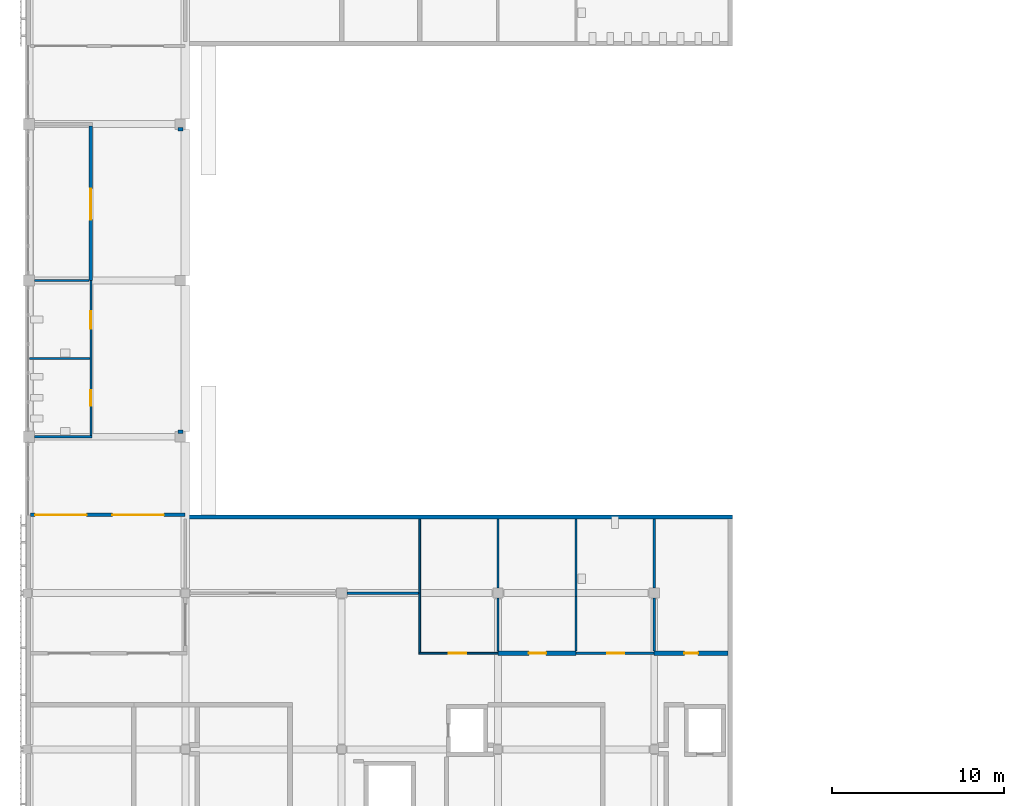
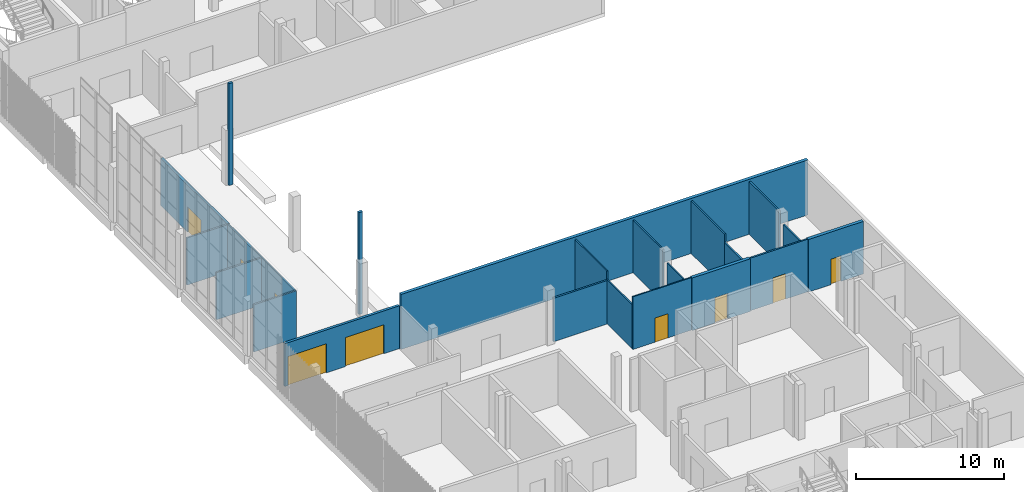
# One storey, part 43 of 91: 22 walls, 9 doors, 9 openings.
"""IFC4 building model written with IfcOpenShell, lengths in metres."""

from ifc_helpers import new_model, si_unit, direction, frame, frame_2d, origin, place, context, subcontext, project, spatial, rectangle, extrude, material, layer, layer_set, type_object, element, fill, save


model = new_model("IFC4")

# Units and contexts
model_context = context("Model", 3, precision=1e-05, world=origin(), true_north=direction((0.0, 1.0)))
body_context = subcontext(model_context, "Body", "Model", "MODEL_VIEW")
ifc_project = project(units=[si_unit("LENGTHUNIT", "METRE"), si_unit("AREAUNIT", "SQUARE_METRE"), si_unit("VOLUMEUNIT", "CUBIC_METRE"), si_unit("PLANEANGLEUNIT", "RADIAN"), si_unit("MASSUNIT", "GRAM", prefix="KILO")], contexts=[model_context])

# Site, building, storey
site_placement = place(None, origin())
site = spatial("IfcSite", under=ifc_project, at=site_placement, CompositionType="ELEMENT")
building_placement = place(site_placement, origin())
building = spatial("IfcBuilding", under=site, at=building_placement, Name="Shirokan Park Arena", CompositionType="ELEMENT")
storey_placement = place(building_placement, frame((0.0, 0.0, 24.570068359375)))
storey = spatial("IfcBuildingStorey", under=building, at=storey_placement, Name="L05", CompositionType="ELEMENT", Elevation=24.570068359375)

# Walls
ifc_material_1 = material(Name="Steel sheet", Category="steel")
ifc_layer_1 = layer(ifc_material_1, 0.0009765625, Name="Steel sheet")
ifc_material_2 = material(Name="Polyisocyanurate insulation")
ifc_layer_2 = layer(ifc_material_2, 0.097900390625, Name="Polyisocyanurate insulation")
ifc_layer_3 = layer(ifc_material_1, 0.0009765625, Name="Steel sheet")
ifc_layer_set_1 = layer_set([ifc_layer_1, ifc_layer_2, ifc_layer_3], Name="Steel sheet + Polyisocyanurate insulation")
wall_type_1 = type_object("IfcWallType", Name="Cold store panel 100", PredefinedType="SOLIDWALL", material=ifc_layer_set_1)
wall_1_placement = place(storey_placement, frame((22.75, 32.949951171875, 0.0), z_axis=(0.0, 0.0, 1.0), x_axis=(0.0, 1.0, 0.0)))
element("IfcWall", 1, at=wall_1_placement, inside=storey, type_object=wall_type_1, Name="Cold store panel 100 L05", PredefinedType="SOLIDWALL", context=body_context, shape_type="SweptSolid", body=[
    extrude(rectangle(XDim=3.449951171875, YDim=0.10009765625, at=frame_2d((1.72509765625, 0.0))), origin(), (0.0, 0.0, 1.0), 3.64990234375),
])
wall_2_placement = place(storey_placement, frame((22.75, 40.699951171875, 0.0), z_axis=(0.0, 0.0, 1.0), x_axis=(0.0, -1.0, 0.0)))
element("IfcWall", 2, at=wall_2_placement, inside=storey, type_object=wall_type_1, Name="Cold store panel 100 L05", PredefinedType="SOLIDWALL", context=body_context, shape_type="SweptSolid", body=[
    extrude(rectangle(XDim=4.300048828125, YDim=0.10009765625, at=frame_2d((2.14990234375, 0.0))), origin(), (0.0, 0.0, 1.0), 4.349853515625),
])

# Wall, opening, door
wall_3_placement = place(storey_placement, frame((27.300048828125, 32.89990234375, 0.0), z_axis=(0.0, 0.0, 1.0), x_axis=(-1.0, 0.0, 0.0)))
wall_3 = element("IfcWall", 3, at=wall_3_placement, inside=storey, type_object=wall_type_1, Name="Cold store panel 100 L05", PredefinedType="SOLIDWALL", context=body_context, shape_type="SweptSolid", body=[
    extrude(rectangle(XDim=4.60009765625, YDim=0.10009765625, at=frame_2d((2.300048828125, 0.0))), origin(), (0.0, 0.0, 1.0), 4.349853515625),
])
opening_1_placement = place(wall_3_placement, frame((1.85009765625, 0.0, 0.0)))
opening_1 = element("IfcOpeningElement", 4, at=opening_1_placement, cuts=wall_3, Name="Opening D-5010", PredefinedType="OPENING", context=body_context, shape_type="SweptSolid", body=[
    extrude(rectangle(XDim=1.0, YDim=2.0, at=frame_2d((0.5, 1.0))), frame((0.0, 0.06005859375, 0.0), z_axis=(0.0, -1.0, 0.0), x_axis=(1.0, 0.0, 0.0)), (0.0, 0.0, 1.0), 0.1201171875),
])
ifc_material_3 = material(Name="Insulated steel door set", Category="steel")
door_type_1 = type_object("IfcDoorType", Name="Cold room door 1000 x 2000", OperationType="SINGLE_SWING_LEFT", PredefinedType="DOOR", material=ifc_material_3)
door_1_placement = place(opening_1_placement, origin())
door_1 = element("IfcDoor", 5, at=door_1_placement, inside=storey, type_object=door_type_1, Name="Door to Cold Store 5.12 D-5010", OperationType="SINGLE_SWING_RIGHT", OverallHeight=2.0, OverallWidth=1.0, PredefinedType="DOOR", context=body_context, shape_type="SweptSolid", body=[
    extrude(rectangle(XDim=1.0, YDim=2.0, at=frame_2d((0.5, 1.0))), frame((0.0, 0.02490234375, 0.0), z_axis=(0.0, -1.0, 0.0), x_axis=(1.0, 0.0, 0.0)), (0.0, 0.0, 1.0), 0.050048828125),
])
fill(opening_1, door_1)

# Walls
wall_4_placement = place(storey_placement, frame((27.300048828125, 36.10009765625, 0.0), z_axis=(0.0, 0.0, 1.0), x_axis=(0.0, -1.0, 0.0)))
element("IfcWall", 6, at=wall_4_placement, inside=storey, type_object=wall_type_1, Name="Cold store panel 100 L05", PredefinedType="SOLIDWALL", context=body_context, shape_type="SweptSolid", body=[
    extrude(rectangle(XDim=3.0751953125, YDim=0.10009765625, at=frame_2d((1.53759765625, 0.0))), origin(), (0.0, 0.0, 1.0), 3.599853515625),
])
wall_5_placement = place(storey_placement, frame((27.300048828125, 40.699951171875, 0.0), z_axis=(0.0, 0.0, 1.0), x_axis=(0.0, -1.0, 0.0)))
element("IfcWall", 7, at=wall_5_placement, inside=storey, type_object=wall_type_1, Name="Cold store panel 100 L05", PredefinedType="SOLIDWALL", context=body_context, shape_type="SweptSolid", body=[
    extrude(rectangle(XDim=4.0, YDim=0.10009765625, at=frame_2d((2.0, 0.0))), origin(), (0.0, 0.0, 1.0), 4.349853515625),
])

# Wall, opening, door
ifc_material_4 = material(Name="Plaster")
ifc_layer_4 = layer(ifc_material_4, 0.014892578125, Name="Plaster")
ifc_material_5 = material(Name="Concrete blockwork", Category="masonry")
ifc_layer_5 = layer(ifc_material_5, 0.219970703125, Name="Concrete blockwork 220")
ifc_layer_6 = layer(ifc_material_4, 0.014892578125, Name="Plaster")
ifc_layer_set_2 = layer_set([ifc_layer_4, ifc_layer_5, ifc_layer_6], Name="Plaster + Concrete blockwork 220")
wall_type_2 = type_object("IfcWallType", Name="Compartment wall 250", PredefinedType="SOLIDWALL", material=ifc_layer_set_2)
wall_6_placement = place(storey_placement, frame((31.85009765625, 32.89990234375, 0.0), z_axis=(0.0, 0.0, 1.0), x_axis=(-1.0, 0.0, 0.0)))
wall_6 = element("IfcWall", 8, at=wall_6_placement, inside=storey, type_object=wall_type_2, Name="Compartment wall 250 L05", PredefinedType="SOLIDWALL", context=body_context, shape_type="SweptSolid", body=[
    extrude(rectangle(XDim=4.550048828125, YDim=0.25, at=frame_2d((2.27490234375, 0.0))), origin(), (0.0, 0.0, 1.0), 4.349853515625),
])
opening_2_placement = place(wall_6_placement, frame((1.75, 0.0, 0.0)))
opening_2 = element("IfcOpeningElement", 9, at=opening_2_placement, cuts=wall_6, Name="Opening D-5011", PredefinedType="OPENING", context=body_context, shape_type="SweptSolid", body=[
    extrude(rectangle(XDim=1.0, YDim=2.10009765625, at=frame_2d((0.5, 1.050048828125))), frame((0.0, 0.135009765625, 0.0), z_axis=(0.0, -1.0, 0.0), x_axis=(1.0, 0.0, 0.0)), (0.0, 0.0, 1.0), 0.27001953125),
])
ifc_material_6 = material(Name="Timber door set, fire resisting", Category="wood")
door_type_2 = type_object("IfcDoorType", Name="Door 1000 x 2100", OperationType="SINGLE_SWING_LEFT", PredefinedType="DOOR", material=ifc_material_6)
door_2_placement = place(opening_2_placement, origin())
door_2 = element("IfcDoor", 10, at=door_2_placement, inside=storey, type_object=door_type_2, Name="Door to Dry Store 5.13 D-5011", OperationType="SINGLE_SWING_LEFT", OverallHeight=2.10009765625, OverallWidth=1.0, PredefinedType="DOOR", context=body_context, shape_type="SweptSolid", body=[
    extrude(rectangle(XDim=1.0, YDim=2.10009765625, at=frame_2d((0.5, 1.050048828125))), frame((0.0, 0.02490234375, 0.0), z_axis=(0.0, -1.0, 0.0), x_axis=(1.0, 0.0, 0.0)), (0.0, 0.0, 1.0), 0.050048828125),
])
fill(opening_2, door_2)

wall_7_placement = place(storey_placement, frame((40.699951171875, 32.89990234375, 0.0), z_axis=(0.0, 0.0, 1.0), x_axis=(-1.0, 0.0, 0.0)))
wall_7 = element("IfcWall", 11, at=wall_7_placement, inside=storey, type_object=wall_type_2, Name="Compartment wall 250 L05", PredefinedType="SOLIDWALL", context=body_context, shape_type="SweptSolid", body=[
    extrude(rectangle(XDim=4.300048828125, YDim=0.25, at=frame_2d((2.14990234375, 0.0))), origin(), (0.0, 0.0, 1.0), 4.349853515625),
])
opening_3_placement = place(wall_7_placement, frame((1.75, 0.0, 0.0)))
opening_3 = element("IfcOpeningElement", 12, at=opening_3_placement, cuts=wall_7, Name="Opening D-5013", PredefinedType="OPENING", context=body_context, shape_type="SweptSolid", body=[
    extrude(rectangle(XDim=0.800048828125, YDim=2.10009765625, at=frame_2d((0.39990234375, 1.050048828125))), frame((0.0, 0.135009765625, 0.0), z_axis=(0.0, -1.0, 0.0), x_axis=(1.0, 0.0, 0.0)), (0.0, 0.0, 1.0), 0.27001953125),
])
door_type_3 = type_object("IfcDoorType", Name="Cleaner store door 800 x 2100", OperationType="SINGLE_SWING_LEFT", PredefinedType="DOOR", material=ifc_material_6)
door_3_placement = place(opening_3_placement, origin())
door_3 = element("IfcDoor", 13, at=door_3_placement, inside=storey, type_object=door_type_3, Name="Door to Janitor Store 5.15 D-5013", OperationType="SINGLE_SWING_LEFT", OverallHeight=2.10009765625, OverallWidth=0.800048828125, PredefinedType="DOOR", context=body_context, shape_type="SweptSolid", body=[
    extrude(rectangle(XDim=0.800048828125, YDim=2.10009765625, at=frame_2d((0.39990234375, 1.050048828125))), frame((0.0, 0.02490234375, 0.0), z_axis=(0.0, -1.0, 0.0), x_axis=(1.0, 0.0, 0.0)), (0.0, 0.0, 1.0), 0.050048828125),
])
fill(opening_3, door_3)

# Wall, openings, doors
ifc_material_7 = material(Name="Gypsum board")
ifc_layer_7 = layer(ifc_material_7, 0.02490234375, Name="Gypsum board, two layers")
ifc_material_8 = material(Name="Mineral wool insulation")
ifc_layer_8 = layer(ifc_material_8, 0.14990234375, Name="Mineral wool insulation")
ifc_layer_9 = layer(ifc_material_7, 0.02490234375, Name="Gypsum board, two layers")
ifc_layer_set_3 = layer_set([ifc_layer_7, ifc_layer_8, ifc_layer_9], Name="Gypsum board, two layers + Mineral wool insulation")
wall_type_3 = type_object("IfcWallType", Name="Corridor wall 200", PredefinedType="PARTITIONING", material=ifc_layer_set_3)
wall_8_placement = place(storey_placement, frame((0.10009765625, 40.949951171875, 0.0), z_axis=(0.0, 0.0, 1.0), x_axis=(1.0, 0.0, 0.0)))
wall_8 = element("IfcWall", 14, at=wall_8_placement, inside=storey, type_object=wall_type_3, Name="Corridor wall 200 L05", PredefinedType="PARTITIONING", context=body_context, shape_type="SweptSolid", body=[
    extrude(rectangle(XDim=8.969970703125, YDim=0.199951171875, at=frame_2d((4.48486328125, 0.0))), origin(), (0.0, 0.0, 1.0), 3.550048828125),
])
opening_4_placement = place(wall_8_placement, frame((4.75, 0.0, 0.0)))
opening_4 = element("IfcOpeningElement", 15, at=opening_4_placement, cuts=wall_8, Name="Opening D-5073", PredefinedType="OPENING", context=body_context, shape_type="SweptSolid", body=[
    extrude(rectangle(XDim=3.0, YDim=2.39990234375, at=frame_2d((1.5, 1.199951171875))), frame((0.0, 0.10986328125, 0.0), z_axis=(0.0, -1.0, 0.0), x_axis=(1.0, 0.0, 0.0)), (0.0, 0.0, 1.0), 0.219970703125),
])
opening_5_placement = place(wall_8_placement, frame((0.25, 0.0, 0.0)))
opening_5 = element("IfcOpeningElement", 16, at=opening_5_placement, cuts=wall_8, Name="Opening D-5074", PredefinedType="OPENING", context=body_context, shape_type="SweptSolid", body=[
    extrude(rectangle(XDim=3.0, YDim=2.39990234375, at=frame_2d((1.5, 1.199951171875))), frame((0.0, 0.10986328125, 0.0), z_axis=(0.0, -1.0, 0.0), x_axis=(1.0, 0.0, 0.0)), (0.0, 0.0, 1.0), 0.219970703125),
])
ifc_material_9 = material(Name="Glazed steel door set, fire resisting", Category="steel")
door_type_4 = type_object("IfcDoorType", Name="Concourse door 3000 x 2400", OperationType="DOUBLE_DOOR_SINGLE_SWING", PredefinedType="DOOR", material=ifc_material_9)
door_4_placement = place(opening_4_placement, origin())
door_4 = element("IfcDoor", 17, at=door_4_placement, inside=storey, type_object=door_type_4, Name="Door between Concourse Link 1.5 and Concourse L05 West Hall D-5073", OperationType="DOUBLE_DOOR_SINGLE_SWING", OverallHeight=2.39990234375, OverallWidth=3.0, PredefinedType="DOOR", context=body_context, shape_type="SweptSolid", body=[
    extrude(rectangle(XDim=3.0, YDim=2.39990234375, at=frame_2d((1.5, 1.199951171875))), frame((0.0, 0.02490234375, 0.0), z_axis=(0.0, -1.0, 0.0), x_axis=(1.0, 0.0, 0.0)), (0.0, 0.0, 1.0), 0.050048828125),
])
fill(opening_4, door_4)
door_5_placement = place(opening_5_placement, origin())
door_5 = element("IfcDoor", 18, at=door_5_placement, inside=storey, type_object=door_type_4, Name="Door between Concourse Link 1.5 and Concourse L05 West Hall D-5074", OperationType="DOUBLE_DOOR_SINGLE_SWING", OverallHeight=2.39990234375, OverallWidth=3.0, PredefinedType="DOOR", context=body_context, shape_type="SweptSolid", body=[
    extrude(rectangle(XDim=3.0, YDim=2.39990234375, at=frame_2d((1.5, 1.199951171875))), frame((0.0, 0.02490234375, 0.0), z_axis=(0.0, -1.0, 0.0), x_axis=(1.0, 0.0, 0.0)), (0.0, 0.0, 1.0), 0.050048828125),
])
fill(opening_5, door_5)

# Walls
for number, where, z_axis, x_axis, name in (
    (19, (8.675048828125, 63.39990234375, 0.0), (0.0, 0.0, 1.0), (1.0, 0.0, 0.0), "Corridor wall 200 L05"),
    (20, (8.97509765625, 45.800048828125, 0.0), (0.0, 0.0, 1.0), (-1.0, 0.0, 0.0), "Corridor wall 200 L05"),
):
    element("IfcWall", number, at=place(storey_placement, frame(where, z_axis=z_axis, x_axis=x_axis)), inside=storey, type_object=wall_type_3, Name=name, PredefinedType="PARTITIONING", context=body_context, shape_type="SweptSolid", body=[
        extrude(rectangle(XDim=0.300048828125, YDim=0.199951171875, at=frame_2d((0.14990234375, 0.0))), origin(), (0.0, 0.0, 1.0), 8.429931640625),
    ])
ifc_material_10 = material(Name="Ceramic tile")
ifc_layer_10 = layer(ifc_material_10, 0.010009765625, Name="Ceramic tile")
ifc_material_11 = material(Name="Render")
ifc_layer_11 = layer(ifc_material_11, 0.010009765625, Name="Render")
ifc_layer_12 = layer(ifc_material_5, 0.10009765625, Name="Concrete blockwork 100")
ifc_layer_13 = layer(ifc_material_11, 0.010009765625, Name="Render")
ifc_layer_14 = layer(ifc_material_10, 0.010009765625, Name="Ceramic tile")
ifc_layer_set_4 = layer_set([ifc_layer_10, ifc_layer_11, ifc_layer_12, ifc_layer_13, ifc_layer_14], Name="Ceramic tile + Render + Concrete blockwork 100")
wall_type_4 = type_object("IfcWallType", Name="Kitchen wall 140", PredefinedType="SOLIDWALL", material=ifc_layer_set_4)
wall_9_placement = place(storey_placement, frame((22.699951171875, 36.39990234375, 0.0), z_axis=(0.0, 0.0, 1.0), x_axis=(-1.0, 0.0, 0.0)))
element("IfcWall", 21, at=wall_9_placement, inside=storey, type_object=wall_type_4, Name="Kitchen wall 140 L05", PredefinedType="SOLIDWALL", context=body_context, shape_type="SweptSolid", body=[
    extrude(rectangle(XDim=4.199951171875, YDim=0.139892578125, at=frame_2d((2.10009765625, 0.0))), origin(), (0.0, 0.0, 1.0), 3.599853515625),
])
ifc_material_12 = material(Name="Concrete C35", Category="concrete")
ifc_layer_15 = layer(ifc_material_12, 0.125)
ifc_layer_set_5 = layer_set([ifc_layer_15], Name="Concrete C35 125 mm")
wall_type_5 = type_object("IfcWallType", Name="Pavilion RC wall 125", PredefinedType="SOLIDWALL", material=ifc_layer_set_5)
wall_10_placement = place(storey_placement, frame((0.030029296875, 50.050048828125, 0.0), z_axis=(0.0, 0.0, 1.0), x_axis=(1.0, 0.0, 0.0)))
element("IfcWall", 22, at=wall_10_placement, inside=storey, type_object=wall_type_5, Name="Wet-area wall 125 L05", PredefinedType="PARTITIONING", context=body_context, shape_type="SweptSolid", body=[
    extrude(rectangle(XDim=3.507568359375, YDim=0.125, at=frame_2d((1.75390625, 0.0))), origin(), (0.0, 0.0, 1.0), 3.89990234375),
])
wall_11_placement = place(storey_placement, frame((0.324951171875, 45.5, 0.0), z_axis=(0.0, 0.0, 1.0), x_axis=(1.0, 0.0, 0.0)))
element("IfcWall", 23, at=wall_11_placement, inside=storey, type_object=wall_type_5, Name="Wet-area wall 125 L05", PredefinedType="PARTITIONING", context=body_context, shape_type="SweptSolid", body=[
    extrude(rectangle(XDim=3.337646484375, YDim=0.125, at=frame_2d((1.6689453125, 0.0))), origin(), (0.0, 0.0, 1.0), 3.89990234375),
])
wall_12_placement = place(storey_placement, frame((0.324951171875, 54.60009765625, 0.0), z_axis=(0.0, 0.0, 1.0), x_axis=(1.0, 0.0, 0.0)))
element("IfcWall", 24, at=wall_12_placement, inside=storey, type_object=wall_type_5, Name="Wet-area wall 125 L05", PredefinedType="PARTITIONING", context=body_context, shape_type="SweptSolid", body=[
    extrude(rectangle(XDim=3.175048828125, YDim=0.125, at=frame_2d((1.58740234375, 0.0))), origin(), (0.0, 0.0, 1.0), 3.89990234375),
])

# Wall, openings, doors
wall_13_placement = place(storey_placement, frame((3.60009765625, 45.5625, 0.0), z_axis=(0.0, 0.0, 1.0), x_axis=(0.0, 1.0, 0.0)))
wall_13 = element("IfcWall", 25, at=wall_13_placement, inside=storey, type_object=wall_type_5, Name="Wet-area wall 125 L05", PredefinedType="PARTITIONING", context=body_context, shape_type="SweptSolid", body=[
    extrude(rectangle(XDim=9.03759765625, YDim=0.125, at=frame_2d((4.518798828125, 0.0))), origin(), (0.0, 0.0, 1.0), 3.89990234375),
])
opening_6_placement = place(wall_13_placement, frame((1.75, 0.0, 0.0)))
opening_6 = element("IfcOpeningElement", 26, at=opening_6_placement, cuts=wall_13, Name="Opening D-5055", PredefinedType="OPENING", context=body_context, shape_type="SweptSolid", body=[
    extrude(rectangle(XDim=0.89990234375, YDim=2.10009765625, at=frame_2d((0.449951171875, 1.050048828125))), frame((0.0, 0.072509765625, 0.0), z_axis=(0.0, -1.0, 0.0), x_axis=(1.0, 0.0, 0.0)), (0.0, 0.0, 1.0), 0.14501953125),
])
opening_7_placement = place(wall_13_placement, frame((6.237548828125, 0.0, 0.0)))
opening_7 = element("IfcOpeningElement", 27, at=opening_7_placement, cuts=wall_13, Name="Opening D-5056", PredefinedType="OPENING", context=body_context, shape_type="SweptSolid", body=[
    extrude(rectangle(XDim=1.0, YDim=2.10009765625, at=frame_2d((0.5, 1.050048828125))), frame((0.0, 0.072509765625, 0.0), z_axis=(0.0, -1.0, 0.0), x_axis=(1.0, 0.0, 0.0)), (0.0, 0.0, 1.0), 0.14501953125),
])
door_type_5 = type_object("IfcDoorType", Name="Accessible WC door 1000 x 2100", OperationType="SINGLE_SWING_RIGHT", PredefinedType="DOOR", material=ifc_material_6)
door_6_placement = place(opening_7_placement, origin())
door_6 = element("IfcDoor", 28, at=door_6_placement, inside=storey, type_object=door_type_5, Name="Door to Accessible WC 5.12 D-5056", OperationType="SINGLE_SWING_RIGHT", OverallHeight=2.10009765625, OverallWidth=1.0, PredefinedType="DOOR", context=body_context, shape_type="SweptSolid", body=[
    extrude(rectangle(XDim=1.0, YDim=2.10009765625, at=frame_2d((0.5, 1.050048828125))), frame((0.0, 0.02490234375, 0.0), z_axis=(0.0, -1.0, 0.0), x_axis=(1.0, 0.0, 0.0)), (0.0, 0.0, 1.0), 0.050048828125),
])
fill(opening_7, door_6)
door_type_6 = type_object("IfcDoorType", Name="Door 900 x 2100", OperationType="SINGLE_SWING_LEFT", PredefinedType="DOOR", material=ifc_material_6)
door_7_placement = place(opening_6_placement, origin())
door_7 = element("IfcDoor", 29, at=door_7_placement, inside=storey, type_object=door_type_6, Name="Door to Women's WC 5.11 D-5055", OperationType="SINGLE_SWING_RIGHT", OverallHeight=2.10009765625, OverallWidth=0.89990234375, PredefinedType="DOOR", context=body_context, shape_type="SweptSolid", body=[
    extrude(rectangle(XDim=0.89990234375, YDim=2.10009765625, at=frame_2d((0.449951171875, 1.050048828125))), frame((0.0, 0.02490234375, 0.0), z_axis=(0.0, -1.0, 0.0), x_axis=(1.0, 0.0, 0.0)), (0.0, 0.0, 1.0), 0.050048828125),
])
fill(opening_6, door_7)

# Wall, opening, door
ifc_layer_16 = layer(ifc_material_12, 0.199951171875)
ifc_layer_set_6 = layer_set([ifc_layer_16], Name="Concrete C35 200 mm")
wall_type_6 = type_object("IfcWallType", Name="Pavilion RC wall 200", PredefinedType="SOLIDWALL", material=ifc_layer_set_6)
wall_14_placement = place(storey_placement, frame((3.60009765625, 54.60009765625, 0.0), z_axis=(0.0, 0.0, 1.0), x_axis=(0.0, 1.0, 0.0)))
wall_14 = element("IfcWall", 30, at=wall_14_placement, inside=storey, type_object=wall_type_6, Name="Corridor wall 200 L05", PredefinedType="PARTITIONING", context=body_context, shape_type="SweptSolid", body=[
    extrude(rectangle(XDim=9.0, YDim=0.199951171875, at=frame_2d((4.5, 0.0))), origin(), (0.0, 0.0, 1.0), 3.89990234375),
])
opening_8_placement = place(wall_14_placement, frame((3.550048828125, 0.0, 0.0)))
opening_8 = element("IfcOpeningElement", 31, at=opening_8_placement, cuts=wall_14, Name="Opening D-5057", PredefinedType="OPENING", context=body_context, shape_type="SweptSolid", body=[
    extrude(rectangle(XDim=1.800048828125, YDim=2.10009765625, at=frame_2d((0.89990234375, 1.050048828125))), frame((0.0, 0.10986328125, 0.0), z_axis=(0.0, -1.0, 0.0), x_axis=(1.0, 0.0, 0.0)), (0.0, 0.0, 1.0), 0.219970703125),
])
door_type_7 = type_object("IfcDoorType", Name="Double door 1800 x 2100", OperationType="DOUBLE_DOOR_SINGLE_SWING", PredefinedType="DOOR", material=ifc_material_6)
door_8_placement = place(opening_8_placement, origin())
door_8 = element("IfcDoor", 32, at=door_8_placement, inside=storey, type_object=door_type_7, Name="Door to Concession Kiosk 5.13 D-5057", OperationType="DOUBLE_DOOR_SINGLE_SWING", OverallHeight=2.10009765625, OverallWidth=1.800048828125, PredefinedType="DOOR", context=body_context, shape_type="SweptSolid", body=[
    extrude(rectangle(XDim=1.800048828125, YDim=2.10009765625, at=frame_2d((0.89990234375, 1.050048828125))), frame((0.0, 0.02490234375, 0.0), z_axis=(0.0, -1.0, 0.0), x_axis=(1.0, 0.0, 0.0)), (0.0, 0.0, 1.0), 0.050048828125),
])
fill(opening_8, door_8)

# Walls
ifc_layer_17 = layer(ifc_material_12, 0.25)
ifc_layer_set_7 = layer_set([ifc_layer_17], Name="Concrete C35 250 mm")
wall_type_7 = type_object("IfcWallType", Name="RC flank wall 250", PredefinedType="SHEAR", material=ifc_layer_set_7)
wall_15_placement = place(storey_placement, frame((40.949951171875, 40.824951171875, 0.0), z_axis=(0.0, 0.0, 1.0), x_axis=(-1.0, 0.0, 0.0)))
element("IfcWall", 33, at=wall_15_placement, inside=storey, type_object=wall_type_7, Name="Flank wall W1 L05", PredefinedType="SHEAR", context=body_context, shape_type="SweptSolid", body=[
    extrude(rectangle(XDim=31.849853515625, YDim=0.25, at=frame_2d((15.9248046875, 0.0))), origin(), (0.0, 0.0, 1.0), 4.550048828125),
])
ifc_layer_18 = layer(ifc_material_10, 0.010009765625, Name="Ceramic tile")
ifc_material_13 = material(Name="Cement board")
ifc_layer_19 = layer(ifc_material_13, 0.012451171875, Name="Cement board")
ifc_layer_20 = layer(ifc_material_8, 0.080078125, Name="Mineral wool insulation")
ifc_layer_21 = layer(ifc_material_13, 0.012451171875, Name="Cement board")
ifc_layer_22 = layer(ifc_material_10, 0.010009765625, Name="Ceramic tile")
ifc_layer_set_8 = layer_set([ifc_layer_18, ifc_layer_19, ifc_layer_20, ifc_layer_21, ifc_layer_22], Name="Ceramic tile + Cement board + Mineral wool insulation")
wall_type_8 = type_object("IfcWallType", Name="Wet-area wall 125", PredefinedType="PARTITIONING", material=ifc_layer_set_8)
wall_16_placement = place(storey_placement, frame((31.85009765625, 40.699951171875, 0.0), z_axis=(0.0, 0.0, 1.0), x_axis=(0.0, -1.0, 0.0)))
element("IfcWall", 34, at=wall_16_placement, inside=storey, type_object=wall_type_8, Name="Wet-area wall 125 L05", PredefinedType="PARTITIONING", context=body_context, shape_type="SweptSolid", body=[
    extrude(rectangle(XDim=4.5, YDim=0.125, at=frame_2d((2.25, 0.0))), origin(), (0.0, 0.0, 1.0), 4.349853515625),
])

# Wall, opening, door
wall_17_placement = place(storey_placement, frame((36.39990234375, 32.89990234375, 0.0), z_axis=(0.0, 0.0, 1.0), x_axis=(-1.0, 0.0, 0.0)))
wall_17 = element("IfcWall", 35, at=wall_17_placement, inside=storey, type_object=wall_type_8, Name="Wet-area wall 125 L05", PredefinedType="PARTITIONING", context=body_context, shape_type="SweptSolid", body=[
    extrude(rectangle(XDim=4.5498046875, YDim=0.125, at=frame_2d((2.27490234375, 0.0))), origin(), (0.0, 0.0, 1.0), 4.349853515625),
])
opening_9_placement = place(wall_17_placement, frame((1.75, 0.0, 0.0)))
opening_9 = element("IfcOpeningElement", 36, at=opening_9_placement, cuts=wall_17, Name="Opening D-5012", PredefinedType="OPENING", context=body_context, shape_type="SweptSolid", body=[
    extrude(rectangle(XDim=1.0, YDim=2.10009765625, at=frame_2d((0.5, 1.050048828125))), frame((0.0, 0.072509765625, 0.0), z_axis=(0.0, -1.0, 0.0), x_axis=(1.0, 0.0, 0.0)), (0.0, 0.0, 1.0), 0.14501953125),
])
door_9_placement = place(opening_9_placement, origin())
door_9 = element("IfcDoor", 37, at=door_9_placement, inside=storey, type_object=door_type_5, Name="Door to Accessible WC 5.14 D-5012", OperationType="SINGLE_SWING_LEFT", OverallHeight=2.10009765625, OverallWidth=1.0, PredefinedType="DOOR", context=body_context, shape_type="SweptSolid", body=[
    extrude(rectangle(XDim=1.0, YDim=2.10009765625, at=frame_2d((0.5, 1.050048828125))), frame((0.0, 0.02490234375, 0.0), z_axis=(0.0, -1.0, 0.0), x_axis=(1.0, 0.0, 0.0)), (0.0, 0.0, 1.0), 0.050048828125),
])
fill(opening_9, door_9)

# Walls
wall_18_placement = place(storey_placement, frame((36.39990234375, 36.10009765625, 0.0), z_axis=(0.0, 0.0, 1.0), x_axis=(0.0, -1.0, 0.0)))
element("IfcWall", 38, at=wall_18_placement, inside=storey, type_object=wall_type_8, Name="Wet-area wall 125 L05", PredefinedType="PARTITIONING", context=body_context, shape_type="SweptSolid", body=[
    extrude(rectangle(XDim=3.0751953125, YDim=0.125, at=frame_2d((1.53759765625, 0.0))), origin(), (0.0, 0.0, 1.0), 3.599853515625),
])
wall_19_placement = place(storey_placement, frame((36.39990234375, 40.699951171875, 0.0), z_axis=(0.0, 0.0, 1.0), x_axis=(0.0, -1.0, 0.0)))
element("IfcWall", 39, at=wall_19_placement, inside=storey, type_object=wall_type_8, Name="Wet-area wall 125 L05", PredefinedType="PARTITIONING", context=body_context, shape_type="SweptSolid", body=[
    extrude(rectangle(XDim=4.0, YDim=0.125, at=frame_2d((2.0, 0.0))), origin(), (0.0, 0.0, 1.0), 4.349853515625),
])
wall_20_placement = place(storey_placement, frame((31.85009765625, 36.199951171875, 0.0), z_axis=(0.0, 0.0, 1.0), x_axis=(0.0, -1.0, 0.0)))
element("IfcWall", 40, at=wall_20_placement, inside=storey, type_object=wall_type_8, Name="Wet-area wall 125 L05", PredefinedType="PARTITIONING", context=body_context, shape_type="SweptSolid", body=[
    extrude(rectangle(XDim=3.175048828125, YDim=0.125, at=frame_2d((1.58740234375, 0.0))), origin(), (0.0, 0.0, 1.0), 3.64990234375),
])

save(model, "model.ifc")
